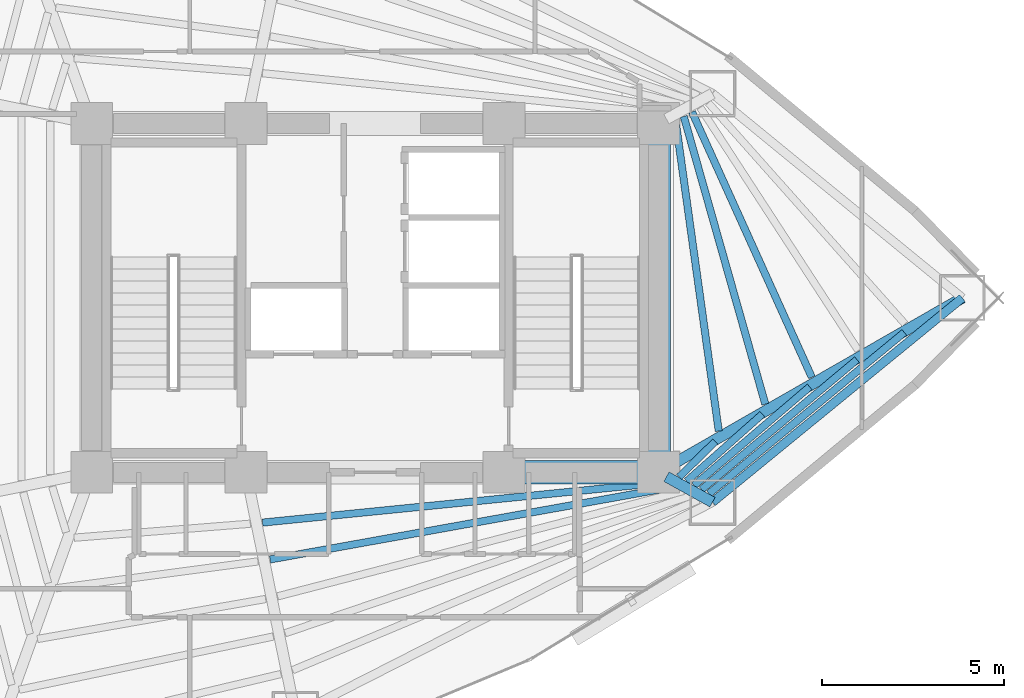
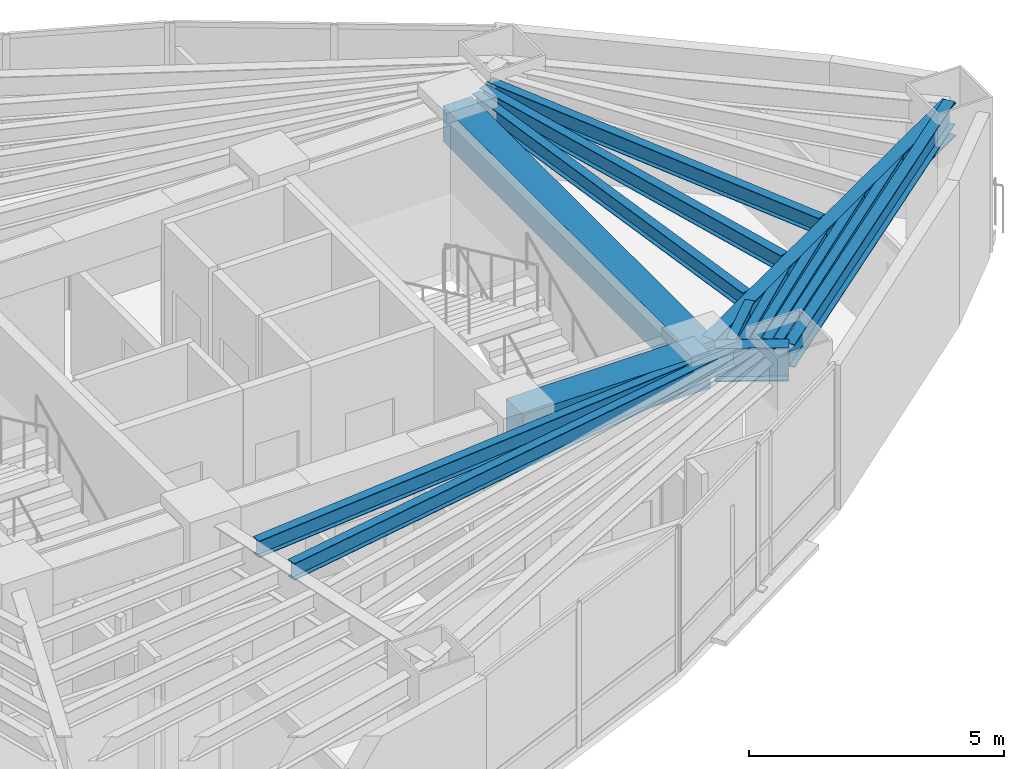
# One storey, part 6 of 18: 15 beams.
"""IFC4 building model written with IfcOpenShell, lengths in metres."""

from ifc_helpers import new_model, si_unit, direction, frame, origin, origin_2d, place, context, subcontext, project, spatial, rectangle, i_section, extrude, material, material_profile, profile_set, type_object, element, save


model = new_model("IFC4")

# Units and contexts
model_context = context("Model", 3, precision=1e-05, world=origin(), true_north=direction((0.0, 1.0)))
body_context = subcontext(model_context, "Body", "Model", "MODEL_VIEW")
ifc_project = project(units=[si_unit("LENGTHUNIT", "METRE"), si_unit("AREAUNIT", "SQUARE_METRE"), si_unit("VOLUMEUNIT", "CUBIC_METRE"), si_unit("PLANEANGLEUNIT", "RADIAN"), si_unit("MASSUNIT", "GRAM", prefix="KILO")], contexts=[model_context])

# Site, building, storey
site_placement = place(None, origin())
site = spatial("IfcSite", under=ifc_project, at=site_placement, CompositionType="ELEMENT")
building_placement = place(site_placement, origin())
building = spatial("IfcBuilding", under=site, at=building_placement, Name="Menara Vayukalpa", CompositionType="ELEMENT")
storey_placement = place(building_placement, frame((0.0, 0.0, 126.300048828125)))
storey = spatial("IfcBuildingStorey", under=building, at=storey_placement, Name="L31", CompositionType="ELEMENT", Elevation=126.300048828125)

# Beams
ifc_material_1 = material(Name="Concrete C60/75", Category="concrete")
ifc_material_profile_1 = material_profile(ifc_material_1, rectangle(XDim=0.64990234375, YDim=0.85009765625, at=origin_2d()), Name="RC 650x850")
ifc_profile_set_1 = profile_set([ifc_material_profile_1], Name="Concrete C60/75")
beam_type_1 = type_object("IfcBeamType", Name="BM-CB1", PredefinedType="BEAM", material=ifc_profile_set_1)
beam_1_placement = place(storey_placement, frame((29.14990234375, 17.199951171875, 3.044921875), z_axis=(1.0, 0.0, 0.0), x_axis=(0.0, 1.0, 0.0)))
element("IfcBeam", 1, at=beam_1_placement, inside=storey, type_object=beam_type_1, Name="L31 Core Tie Beam CBR3", PredefinedType="BEAM", context=body_context, shape_type="SweptSolid", body=[
    extrude(rectangle(XDim=0.64990234375, YDim=0.85009765625, at=origin_2d()), origin(), (0.0, 0.0, 1.0), 4.25),
])
beam_2_placement = place(storey_placement, frame((33.39990234375, 17.199951171875, 3.044921875), z_axis=(0.0, 1.0, 0.0), x_axis=(-1.0, 0.0, 0.0)))
element("IfcBeam", 2, at=beam_2_placement, inside=storey, type_object=beam_type_1, Name="L31 Core Tie Beam CBR8", PredefinedType="BEAM", context=body_context, shape_type="SweptSolid", body=[
    extrude(rectangle(XDim=0.64990234375, YDim=0.85009765625, at=origin_2d()), origin(), (0.0, 0.0, 1.0), 9.60009765625),
])
ifc_material_2 = material(Name="Steel S355", Category="steel")
ifc_material_profile_2 = material_profile(ifc_material_2, i_section(OverallWidth=0.300048828125, OverallDepth=0.800048828125, WebThickness=0.013916015625, FlangeThickness=0.02587890625, at=origin_2d()), Name="WF 800x300x14x26")
ifc_profile_set_2 = profile_set([ifc_material_profile_2], Name="Steel S355")
beam_type_2 = type_object("IfcBeamType", Name="BM-PG3", PredefinedType="BEAM", material=ifc_profile_set_2)
beam_3_placement = place(storey_placement, frame((33.61669921875, 17.324462890625, 3.070068359375), z_axis=(0.867273673572, 0.497831673488, 0.0), x_axis=(-0.497831673488, 0.867273673572, 0.0)))
element("IfcBeam", 3, at=beam_3_placement, inside=storey, type_object=beam_type_2, Name="L31 Primary Radial Girder RG01", PredefinedType="BEAM", context=body_context, shape_type="SweptSolid", body=[
    extrude(i_section(OverallWidth=0.300048828125, OverallDepth=0.800048828125, WebThickness=0.013916015625, FlangeThickness=0.02587890625, at=origin_2d()), origin(), (0.0, 0.0, 1.0), 9.391845703125),
])
beam_4_placement = place(storey_placement, frame((33.618896484375, 17.0791015625, 3.070068359375), z_axis=(0.875228391676, -0.48370989488, 0.0), x_axis=(0.48370989488, 0.875228391676, 0.0)))
element("IfcBeam", 4, at=beam_4_placement, inside=storey, type_object=beam_type_2, Name="L31 Primary Radial Girder RG09", PredefinedType="BEAM", context=body_context, shape_type="SweptSolid", body=[
    extrude(i_section(OverallWidth=0.300048828125, OverallDepth=0.800048828125, WebThickness=0.013916015625, FlangeThickness=0.02587890625, at=origin_2d()), origin(), (0.0, 0.0, 1.0), 1.448486328125),
])
ifc_material_3 = material(Name="Steel S355", Category="steel")
ifc_material_profile_3 = material_profile(ifc_material_3, i_section(OverallWidth=0.199951171875, OverallDepth=0.39990234375, WebThickness=0.008056640625, FlangeThickness=0.012939453125, at=origin_2d()), Name="WF 400x200x8x13")
ifc_profile_set_3 = profile_set([ifc_material_profile_3], Name="Steel S355")
beam_type_3 = type_object("IfcBeamType", Name="BM-SJ2", PredefinedType="JOIST", material=ifc_profile_set_3)
beam_5_placement = place(storey_placement, frame((35.0595703125, 18.33447265625, 3.27001953125), z_axis=(-0.137826740717, 0.990456354184, 0.0), x_axis=(-0.990456354184, -0.137826740717, 0.0)))
element("IfcBeam", 5, at=beam_5_placement, inside=storey, type_object=beam_type_3, Name="L31 Secondary Floor Joist SJ01-1", PredefinedType="JOIST", context=body_context, shape_type="SweptSolid", body=[
    extrude(i_section(OverallWidth=0.199951171875, OverallDepth=0.39990234375, WebThickness=0.008056640625, FlangeThickness=0.012939453125, at=origin_2d()), origin(), (0.0, 0.0, 1.0), 8.62646484375),
])
beam_6_placement = place(storey_placement, frame((36.33984375, 19.07763671875, 3.27001953125), z_axis=(-0.272628202831, 0.962119464007, 0.0), x_axis=(-0.962119464007, -0.272628202831, 0.0)))
element("IfcBeam", 6, at=beam_6_placement, inside=storey, type_object=beam_type_3, Name="L31 Secondary Floor Joist SJ01-2", PredefinedType="JOIST", context=body_context, shape_type="SweptSolid", body=[
    extrude(i_section(OverallWidth=0.199951171875, OverallDepth=0.39990234375, WebThickness=0.008056640625, FlangeThickness=0.012939453125, at=origin_2d()), origin(), (0.0, 0.0, 1.0), 8.229736328125),
])
beam_7_placement = place(storey_placement, frame((37.619384765625, 19.817138671875, 3.27001953125), z_axis=(-0.411603873645, 0.911362853753, 0.0), x_axis=(-0.911362853753, -0.411603873645, 0.0)))
element("IfcBeam", 7, at=beam_7_placement, inside=storey, type_object=beam_type_3, Name="L31 Secondary Floor Joist SJ01-3", PredefinedType="JOIST", context=body_context, shape_type="SweptSolid", body=[
    extrude(i_section(OverallWidth=0.199951171875, OverallDepth=0.39990234375, WebThickness=0.008056640625, FlangeThickness=0.012939453125, at=origin_2d()), origin(), (0.0, 0.0, 1.0), 8.00927734375),
])
beam_8_placement = place(storey_placement, frame((22.50439453125, 15.81591796875, 3.27001953125), z_axis=(0.995012836574, 0.099746955103, 0.0), x_axis=(-0.099746955103, 0.995012836574, 0.0)))
element("IfcBeam", 8, at=beam_8_placement, inside=storey, type_object=beam_type_3, Name="L31 Secondary Floor Joist SJ08-1", PredefinedType="JOIST", context=body_context, shape_type="SweptSolid", body=[
    extrude(i_section(OverallWidth=0.199951171875, OverallDepth=0.39990234375, WebThickness=0.008056640625, FlangeThickness=0.012939453125, at=origin_2d()), origin(), (0.0, 0.0, 1.0), 11.2294921875),
])
beam_9_placement = place(storey_placement, frame((22.7119140625, 14.801513671875, 3.27001953125), z_axis=(0.984205443357, 0.177030068819, 0.0), x_axis=(-0.177030068819, 0.984205443357, 0.0)))
element("IfcBeam", 9, at=beam_9_placement, inside=storey, type_object=beam_type_3, Name="L31 Secondary Floor Joist SJ08-2", PredefinedType="JOIST", context=body_context, shape_type="SweptSolid", body=[
    extrude(i_section(OverallWidth=0.199951171875, OverallDepth=0.39990234375, WebThickness=0.008056640625, FlangeThickness=0.012939453125, at=origin_2d()), origin(), (0.0, 0.0, 1.0), 11.349853515625),
])
beam_10_placement = place(storey_placement, frame((33.968505859375, 17.072021484375, 3.27001953125), z_axis=(0.713567159094, 0.700586832208, 0.0), x_axis=(-0.700586832208, 0.713567159094, 0.0)))
element("IfcBeam", 10, at=beam_10_placement, inside=storey, type_object=beam_type_3, Name="L31 Secondary Floor Joist SJ09-1", PredefinedType="JOIST", context=body_context, shape_type="SweptSolid", body=[
    extrude(i_section(OverallWidth=0.199951171875, OverallDepth=0.39990234375, WebThickness=0.008056640625, FlangeThickness=0.012939453125, at=origin_2d()), origin(), (0.0, 0.0, 1.0), 1.391845703125),
])
beam_11_placement = place(storey_placement, frame((34.177001953125, 16.95361328125, 3.27001953125), z_axis=(0.747951028434, 0.663753914539, 0.0), x_axis=(-0.663753914539, 0.747951028434, 0.0)))
element("IfcBeam", 11, at=beam_11_placement, inside=storey, type_object=beam_type_3, Name="L31 Secondary Floor Joist SJ09-2", PredefinedType="JOIST", context=body_context, shape_type="SweptSolid", body=[
    extrude(i_section(OverallWidth=0.199951171875, OverallDepth=0.39990234375, WebThickness=0.008056640625, FlangeThickness=0.012939453125, at=origin_2d()), origin(), (0.0, 0.0, 1.0), 2.78369140625),
])
beam_12_placement = place(storey_placement, frame((34.382080078125, 16.839111328125, 3.27001953125), z_axis=(0.760566613353, 0.649259906858, 0.0), x_axis=(-0.649259906858, 0.760566613353, 0.0)))
element("IfcBeam", 12, at=beam_12_placement, inside=storey, type_object=beam_type_3, Name="L31 Secondary Floor Joist SJ09-3", PredefinedType="JOIST", context=body_context, shape_type="SweptSolid", body=[
    extrude(i_section(OverallWidth=0.199951171875, OverallDepth=0.39990234375, WebThickness=0.008056640625, FlangeThickness=0.012939453125, at=origin_2d()), origin(), (0.0, 0.0, 1.0), 4.178466796875),
])
beam_13_placement = place(storey_placement, frame((34.586181640625, 16.7255859375, 3.27001953125), z_axis=(0.767139570374, 0.64148022539, 0.0), x_axis=(-0.64148022539, 0.767139570374, 0.0)))
element("IfcBeam", 13, at=beam_13_placement, inside=storey, type_object=beam_type_3, Name="L31 Secondary Floor Joist SJ09-4", PredefinedType="JOIST", context=body_context, shape_type="SweptSolid", body=[
    extrude(i_section(OverallWidth=0.199951171875, OverallDepth=0.39990234375, WebThickness=0.008056640625, FlangeThickness=0.012939453125, at=origin_2d()), origin(), (0.0, 0.0, 1.0), 5.57421875),
])
beam_14_placement = place(storey_placement, frame((34.789794921875, 16.61279296875, 3.27001953125), z_axis=(0.771153144941, 0.636649689428, 0.0), x_axis=(-0.636649689428, 0.771153144941, 0.0)))
element("IfcBeam", 14, at=beam_14_placement, inside=storey, type_object=beam_type_3, Name="L31 Secondary Floor Joist SJ09-5", PredefinedType="JOIST", context=body_context, shape_type="SweptSolid", body=[
    extrude(i_section(OverallWidth=0.199951171875, OverallDepth=0.39990234375, WebThickness=0.008056640625, FlangeThickness=0.012939453125, at=origin_2d()), origin(), (0.0, 0.0, 1.0), 6.969970703125),
])
ifc_material_4 = material(Name="Steel S355", Category="steel")
ifc_material_profile_4 = material_profile(ifc_material_4, i_section(OverallWidth=0.239990234375, OverallDepth=0.550048828125, WebThickness=0.010986328125, FlangeThickness=0.01904296875, at=origin_2d()), Name="WF 550x240x11x19")
ifc_profile_set_4 = profile_set([ifc_material_profile_4], Name="Steel S355")
beam_type_4 = type_object("IfcBeamType", Name="BM-SP2", PredefinedType="SPANDREL", material=ifc_profile_set_4)
beam_15_placement = place(storey_placement, frame((34.88671875, 16.37841796875, 3.195068359375), z_axis=(0.774156906301, 0.632993747541, 0.0), x_axis=(-0.632993747541, 0.774156906301, 0.0)))
element("IfcBeam", 15, at=beam_15_placement, inside=storey, type_object=beam_type_4, Name="L31 Perimeter Spandrel Beam SP09", PredefinedType="SPANDREL", context=body_context, shape_type="SweptSolid", body=[
    extrude(i_section(OverallWidth=0.239990234375, OverallDepth=0.550048828125, WebThickness=0.010986328125, FlangeThickness=0.01904296875, at=origin_2d()), origin(), (0.0, 0.0, 1.0), 8.880859375),
])

save(model, "model.ifc")
